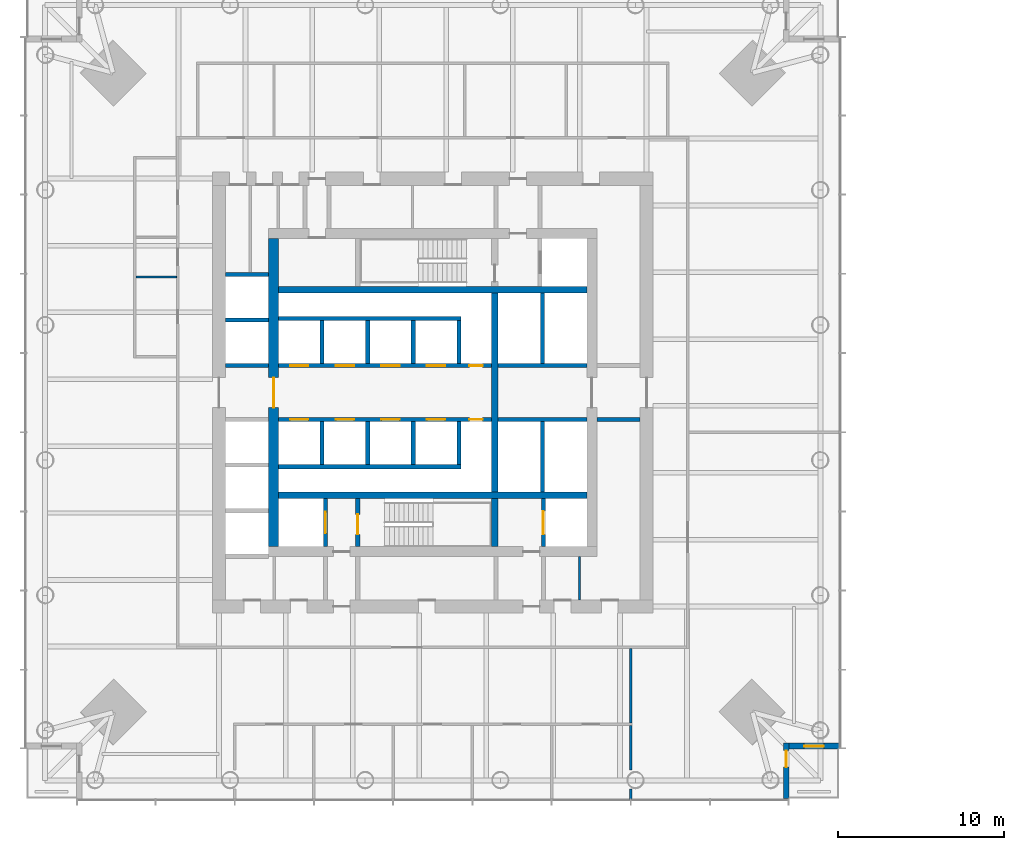
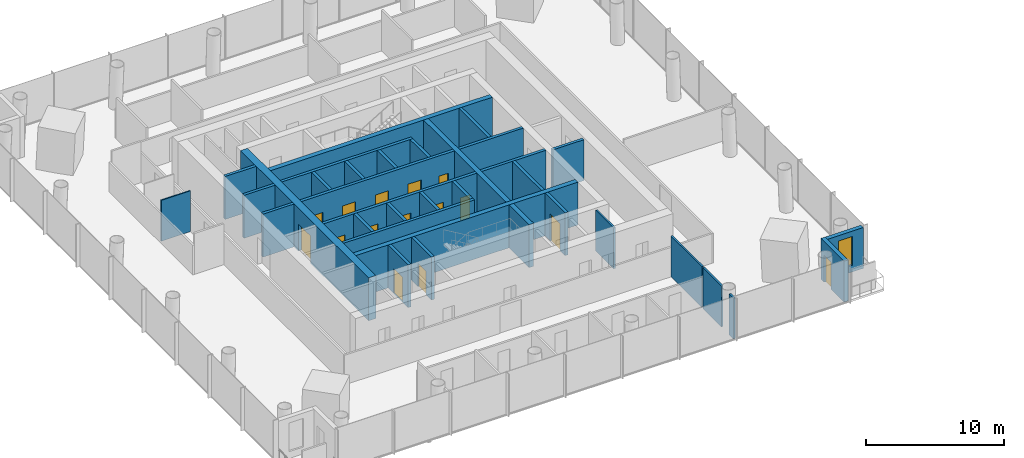
# One storey, part 11 of 22: 35 walls, 15 doors, 1 window, 16 openings.
"""IFC4 building model written with IfcOpenShell, lengths in metres."""

from ifc_helpers import new_model, si_unit, direction, frame, frame_2d, origin, place, context, subcontext, project, spatial, rectangle, extrude, material, layer, layer_set, type_object, element, fill, save


model = new_model("IFC4")

# Units and contexts
model_context = context("Model", 3, precision=1e-05, world=origin(), true_north=direction((0.0, 1.0)))
body_context = subcontext(model_context, "Body", "Model", "MODEL_VIEW")
ifc_project = project(units=[si_unit("LENGTHUNIT", "METRE"), si_unit("AREAUNIT", "SQUARE_METRE"), si_unit("VOLUMEUNIT", "CUBIC_METRE"), si_unit("PLANEANGLEUNIT", "RADIAN"), si_unit("MASSUNIT", "GRAM", prefix="KILO")], contexts=[model_context])

# Site, building, storey
site_placement = place(None, origin())
site = spatial("IfcSite", under=ifc_project, at=site_placement, CompositionType="ELEMENT")
building_placement = place(site_placement, origin())
building = spatial("IfcBuilding", under=site, at=building_placement, Name="Ostroluk Exchange", CompositionType="ELEMENT")
storey_placement = place(building_placement, frame((0.0, 0.0, 40.0)))
storey = spatial("IfcBuildingStorey", under=building, at=storey_placement, Name="L09", CompositionType="ELEMENT", Elevation=40.0)

# Walls
ifc_material_1 = material(Name="Concrete blockwork", Category="masonry")
ifc_layer_1 = layer(ifc_material_1, 0.10009765625)
ifc_layer_set_1 = layer_set([ifc_layer_1], Name="Blockwork WC wall 100")
wall_type_1 = type_object("IfcWallType", Name="Blockwork WC wall 100", PredefinedType="SOLIDWALL", material=ifc_layer_set_1)
wall_1_placement = place(storey_placement, frame((29.550048828125, 52.97509765625, 0.0), z_axis=(0.0, 0.0, 1.0), x_axis=(-1.0, 0.0, 0.0)))
element("IfcWall", 1, at=wall_1_placement, inside=storey, type_object=wall_type_1, Name="Blockwork WC wall", PredefinedType="SOLIDWALL", context=body_context, shape_type="SweptSolid", body=[
    extrude(rectangle(XDim=2.449951171875, YDim=0.10009765625, at=frame_2d((1.22509765625, 0.0))), origin(), (0.0, 0.0, 1.0), 3.6201171875),
])
ifc_material_2 = material(Name="Concrete blockwork", Category="masonry")
ifc_layer_2 = layer(ifc_material_2, 0.14990234375)
ifc_layer_set_2 = layer_set([ifc_layer_2], Name="Blockwork plant room wall 150")
wall_type_2 = type_object("IfcWallType", Name="Blockwork plant room wall 150", PredefinedType="SOLIDWALL", material=ifc_layer_set_2)
wall_2_placement = place(storey_placement, frame((53.85205078125, 33.5, 0.0), z_axis=(0.0, 0.0, 1.0), x_axis=(0.0, 1.0, 0.0)))
element("IfcWall", 2, at=wall_2_placement, inside=storey, type_object=wall_type_2, Name="Core room wall", PredefinedType="SOLIDWALL", context=body_context, shape_type="SweptSolid", body=[
    extrude(rectangle(XDim=2.60009765625, YDim=0.14990234375, at=frame_2d((1.300048828125, 0.0))), origin(), (0.0, 0.0, 1.0), 3.6201171875),
])
ifc_material_3 = material(Name="Concrete blockwork", Category="masonry")
ifc_layer_3 = layer(ifc_material_3, 0.25)
ifc_layer_set_3 = layer_set([ifc_layer_3], Name="Blockwork stair enclosure wall 250")
wall_type_3 = type_object("IfcWallType", Name="Blockwork stair enclosure wall 250", PredefinedType="SOLIDWALL", material=ifc_layer_set_3)
wall_3_placement = place(storey_placement, frame((54.89990234375, 44.375, 0.0), z_axis=(0.0, 0.0, 1.0), x_axis=(1.0, 0.0, 0.0)))
element("IfcWall", 3, at=wall_3_placement, inside=storey, type_object=wall_type_3, Name="Lift lobby enclosure wall", PredefinedType="SOLIDWALL", context=body_context, shape_type="SweptSolid", body=[
    extrude(rectangle(XDim=2.60009765625, YDim=0.25, at=frame_2d((1.300048828125, 0.0))), origin(), (0.0, 0.0, 1.0), 3.6201171875),
])
ifc_material_4 = material(Name="Concrete C50/60", Category="concrete")
ifc_layer_4 = layer(ifc_material_4, 0.39990234375)
ifc_layer_set_4 = layer_set([ifc_layer_4], Name="Core cross wall 400 C50/60")
wall_type_4 = type_object("IfcWallType", Name="Core cross wall 400 C50/60", PredefinedType="SHEAR", material=ifc_layer_set_4)
for number, where, z_axis, x_axis, name in (
    (4, (35.699951171875, 39.800048828125, 0.0), (0.0, 0.0, 1.0), (1.0, 0.0, 0.0), "T1 core wall XS"),
    (5, (35.699951171875, 52.199951171875, 0.0), (0.0, 0.0, 1.0), (1.0, 0.0, 0.0), "T1 core wall XN"),
):
    element("IfcWall", number, at=place(storey_placement, frame(where, z_axis=z_axis, x_axis=x_axis)), inside=storey, type_object=wall_type_4, Name=name, PredefinedType="SHEAR", context=body_context, shape_type="SweptSolid", body=[
        extrude(rectangle(XDim=18.60009765625, YDim=0.39990234375, at=frame_2d((9.300048828125, 0.0))), origin(), (0.0, 0.0, 1.0), 3.800048828125),
    ])
wall_4_placement = place(storey_placement, frame((48.72998046875, 36.699951171875, 0.0), z_axis=(0.0, 0.0, 1.0), x_axis=(0.0, 1.0, 0.0)))
element("IfcWall", 6, at=wall_4_placement, inside=storey, type_object=wall_type_4, Name="T1 core wall YE1", PredefinedType="SHEAR", context=body_context, shape_type="SweptSolid", body=[
    extrude(rectangle(XDim=2.900146484375, YDim=0.39990234375, at=frame_2d((1.4501953125, 0.0))), origin(), (0.0, 0.0, 1.0), 3.800048828125),
])
wall_5_placement = place(storey_placement, frame((48.72998046875, 40.0, 0.0), z_axis=(0.0, 0.0, 1.0), x_axis=(0.0, 1.0, 0.0)))
element("IfcWall", 7, at=wall_5_placement, inside=storey, type_object=wall_type_4, Name="T1 core wall YE2", PredefinedType="SHEAR", context=body_context, shape_type="SweptSolid", body=[
    extrude(rectangle(XDim=12.0, YDim=0.39990234375, at=frame_2d((6.0, 0.0))), origin(), (0.0, 0.0, 1.0), 3.800048828125),
])

# Wall, opening, door
ifc_material_5 = material(Name="Concrete C40/50", Category="concrete")
ifc_layer_5 = layer(ifc_material_5, 0.25)
ifc_layer_set_5 = layer_set([ifc_layer_5], Name="Core shaft wall 250")
wall_type_5 = type_object("IfcWallType", Name="Core shaft wall 250", PredefinedType="SHEAR", material=ifc_layer_set_5)
wall_6_placement = place(storey_placement, frame((38.52490234375, 36.699951171875, 0.0), z_axis=(0.0, 0.0, 1.0), x_axis=(0.0, 1.0, 0.0)))
wall_6 = element("IfcWall", 8, at=wall_6_placement, inside=storey, type_object=wall_type_5, Name="Firefighting lift shaft wall", PredefinedType="SHEAR", context=body_context, shape_type="SweptSolid", body=[
    extrude(rectangle(XDim=2.900146484375, YDim=0.25, at=frame_2d((1.4501953125, 0.0))), origin(), (0.0, 0.0, 1.0), 3.800048828125),
])
opening_1_placement = place(wall_6_placement, frame((0.800048828125, 0.0, 0.0)))
opening_1 = element("IfcOpeningElement", 9, at=opening_1_placement, cuts=wall_6, Name="Opening LD2", PredefinedType="OPENING", context=body_context, shape_type="SweptSolid", body=[
    extrude(rectangle(XDim=1.300048828125, YDim=2.199951171875, at=frame_2d((0.64990234375, 1.10009765625))), frame((0.0, 0.135009765625, 0.0), z_axis=(0.0, -1.0, 0.0), x_axis=(1.0, 0.0, 0.0)), (0.0, 0.0, 1.0), 0.27001953125),
])
ifc_material_6 = material(Name="Stainless steel", Category="steel")
door_type_1 = type_object("IfcDoorType", Name="Lift landing door E 60 1300 x 2200", OperationType="DOUBLE_DOOR_SLIDING", PredefinedType="DOOR", material=ifc_material_6)
door_1_placement = place(opening_1_placement, origin())
door_1 = element("IfcDoor", 10, at=door_1_placement, inside=storey, type_object=door_type_1, Name="Lift FL1 landing door", OperationType="DOUBLE_DOOR_SLIDING", OverallHeight=2.199951171875, OverallWidth=1.300048828125, PredefinedType="DOOR", context=body_context, shape_type="SweptSolid", body=[
    extrude(rectangle(XDim=1.300048828125, YDim=2.199951171875, at=frame_2d((0.64990234375, 1.10009765625))), frame((0.0, 0.02490234375, 0.0), z_axis=(0.0, -1.0, 0.0), x_axis=(1.0, 0.0, 0.0)), (0.0, 0.0, 1.0), 0.050048828125),
])
fill(opening_1, door_1)

wall_7_placement = place(storey_placement, frame((40.47509765625, 36.699951171875, 0.0), z_axis=(0.0, 0.0, 1.0), x_axis=(0.0, 1.0, 0.0)))
wall_7 = element("IfcWall", 11, at=wall_7_placement, inside=storey, type_object=wall_type_5, Name="Stair shaft wall", PredefinedType="SHEAR", context=body_context, shape_type="SweptSolid", body=[
    extrude(rectangle(XDim=2.900146484375, YDim=0.25, at=frame_2d((1.4501953125, 0.0))), origin(), (0.0, 0.0, 1.0), 3.800048828125),
])
opening_2_placement = place(wall_7_placement, frame((0.75, 0.0, 0.0)))
opening_2 = element("IfcOpeningElement", 12, at=opening_2_placement, cuts=wall_7, Name="Opening FD60S", PredefinedType="OPENING", context=body_context, shape_type="SweptSolid", body=[
    extrude(rectangle(XDim=1.199951171875, YDim=2.10009765625, at=frame_2d((0.60009765625, 1.050048828125))), frame((0.0, 0.135009765625, 0.0), z_axis=(0.0, -1.0, 0.0), x_axis=(1.0, 0.0, 0.0)), (0.0, 0.0, 1.0), 0.27001953125),
])
ifc_material_7 = material(Name="Steel", Category="steel")
door_type_2 = type_object("IfcDoorType", Name="Stair door EI 60 1200 x 2100", OperationType="SINGLE_SWING_LEFT", PredefinedType="DOOR", material=ifc_material_7)
door_2_placement = place(opening_2_placement, origin())
door_2 = element("IfcDoor", 13, at=door_2_placement, inside=storey, type_object=door_type_2, Name="Stair T1-S1 door", OperationType="SINGLE_SWING_LEFT", OverallHeight=2.10009765625, OverallWidth=1.199951171875, PredefinedType="DOOR", context=body_context, shape_type="SweptSolid", body=[
    extrude(rectangle(XDim=1.199951171875, YDim=2.10009765625, at=frame_2d((0.60009765625, 1.050048828125))), frame((0.0, 0.02490234375, 0.0), z_axis=(0.0, -1.0, 0.0), x_axis=(1.0, 0.0, 0.0)), (0.0, 0.0, 1.0), 0.050048828125),
])
fill(opening_2, door_2)

wall_8_placement = place(storey_placement, frame((51.675048828125, 36.699951171875, 0.0), z_axis=(0.0, 0.0, 1.0), x_axis=(0.0, 1.0, 0.0)))
wall_8 = element("IfcWall", 14, at=wall_8_placement, inside=storey, type_object=wall_type_5, Name="Service lift shaft wall", PredefinedType="SHEAR", context=body_context, shape_type="SweptSolid", body=[
    extrude(rectangle(XDim=2.900146484375, YDim=0.25, at=frame_2d((1.4501953125, 0.0))), origin(), (0.0, 0.0, 1.0), 3.800048828125),
])
opening_3_placement = place(wall_8_placement, frame((0.75, 0.0, 0.0)))
opening_3 = element("IfcOpeningElement", 15, at=opening_3_placement, cuts=wall_8, Name="Opening LD3", PredefinedType="OPENING", context=body_context, shape_type="SweptSolid", body=[
    extrude(rectangle(XDim=1.39990234375, YDim=2.39990234375, at=frame_2d((0.699951171875, 1.199951171875))), frame((0.0, 0.135009765625, 0.0), z_axis=(0.0, -1.0, 0.0), x_axis=(1.0, 0.0, 0.0)), (0.0, 0.0, 1.0), 0.27001953125),
])
ifc_material_8 = material(Name="Stainless steel", Category="steel")
door_type_3 = type_object("IfcDoorType", Name="Goods lift landing door E 60 1400 x 2400", OperationType="DOUBLE_DOOR_SLIDING", PredefinedType="DOOR", material=ifc_material_8)
door_3_placement = place(opening_3_placement, origin())
door_3 = element("IfcDoor", 16, at=door_3_placement, inside=storey, type_object=door_type_3, Name="Lift SL1 landing door", OperationType="DOUBLE_DOOR_SLIDING", OverallHeight=2.39990234375, OverallWidth=1.39990234375, PredefinedType="DOOR", context=body_context, shape_type="SweptSolid", body=[
    extrude(rectangle(XDim=1.39990234375, YDim=2.39990234375, at=frame_2d((0.699951171875, 1.199951171875))), frame((0.0, 0.02490234375, 0.0), z_axis=(0.0, -1.0, 0.0), x_axis=(1.0, 0.0, 0.0)), (0.0, 0.0, 1.0), 0.050048828125),
])
fill(opening_3, door_3)

# Walls
for number, where, z_axis, x_axis, name in (
    (17, (38.324951171875, 47.75, 0.0), (0.0, 0.0, 1.0), (0.0, 1.0, 0.0), "Lift shaft wall"),
    (18, (41.074951171875, 47.75, 0.0), (0.0, 0.0, 1.0), (0.0, 1.0, 0.0), "Lift shaft wall"),
    (19, (43.824951171875, 47.75, 0.0), (0.0, 0.0, 1.0), (0.0, 1.0, 0.0), "Lift shaft wall"),
    (20, (46.574951171875, 47.75, 0.0), (0.0, 0.0, 1.0), (0.0, 1.0, 0.0), "Lift shaft wall"),
):
    element("IfcWall", number, at=place(storey_placement, frame(where, z_axis=z_axis, x_axis=x_axis)), inside=storey, type_object=wall_type_5, Name=name, PredefinedType="SHEAR", context=body_context, shape_type="SweptSolid", body=[
        extrude(rectangle(XDim=2.60009765625, YDim=0.25, at=frame_2d((1.300048828125, 0.0))), origin(), (0.0, 0.0, 1.0), 3.800048828125),
    ])
wall_9_placement = place(storey_placement, frame((35.699951171875, 50.47509765625, 0.0), z_axis=(0.0, 0.0, 1.0), x_axis=(1.0, 0.0, 0.0)))
element("IfcWall", 21, at=wall_9_placement, inside=storey, type_object=wall_type_5, Name="Lift shaft wall", PredefinedType="SHEAR", context=body_context, shape_type="SweptSolid", body=[
    extrude(rectangle(XDim=11.0, YDim=0.25, at=frame_2d((5.5, 0.0))), origin(), (0.0, 0.0, 1.0), 3.800048828125),
])

# Wall, openings, doors
wall_10_placement = place(storey_placement, frame((35.699951171875, 47.625, 0.0), z_axis=(0.0, 0.0, 1.0), x_axis=(1.0, 0.0, 0.0)))
wall_10 = element("IfcWall", 22, at=wall_10_placement, inside=storey, type_object=wall_type_5, Name="Lift shaft front wall", PredefinedType="SHEAR", context=body_context, shape_type="SweptSolid", body=[
    extrude(rectangle(XDim=12.830078125, YDim=0.25, at=frame_2d((6.4150390625, 0.0))), origin(), (0.0, 0.0, 1.0), 3.800048828125),
])
opening_4_placement = place(wall_10_placement, frame((0.699951171875, 0.0, 0.0)))
opening_4 = element("IfcOpeningElement", 23, at=opening_4_placement, cuts=wall_10, Name="Opening LD", PredefinedType="OPENING", context=body_context, shape_type="SweptSolid", body=[
    extrude(rectangle(XDim=1.10009765625, YDim=2.199951171875, at=frame_2d((0.550048828125, 1.10009765625))), frame((0.0, 0.135009765625, 0.0), z_axis=(0.0, -1.0, 0.0), x_axis=(1.0, 0.0, 0.0)), (0.0, 0.0, 1.0), 0.27001953125),
])
opening_5_placement = place(wall_10_placement, frame((3.449951171875, 0.0, 0.0)))
opening_5 = element("IfcOpeningElement", 24, at=opening_5_placement, cuts=wall_10, Name="Opening LD", PredefinedType="OPENING", context=body_context, shape_type="SweptSolid", body=[
    extrude(rectangle(XDim=1.10009765625, YDim=2.199951171875, at=frame_2d((0.550048828125, 1.10009765625))), frame((0.0, 0.135009765625, 0.0), z_axis=(0.0, -1.0, 0.0), x_axis=(1.0, 0.0, 0.0)), (0.0, 0.0, 1.0), 0.27001953125),
])
opening_6_placement = place(wall_10_placement, frame((6.199951171875, 0.0, 0.0)))
opening_6 = element("IfcOpeningElement", 25, at=opening_6_placement, cuts=wall_10, Name="Opening LD", PredefinedType="OPENING", context=body_context, shape_type="SweptSolid", body=[
    extrude(rectangle(XDim=1.10009765625, YDim=2.199951171875, at=frame_2d((0.550048828125, 1.10009765625))), frame((0.0, 0.135009765625, 0.0), z_axis=(0.0, -1.0, 0.0), x_axis=(1.0, 0.0, 0.0)), (0.0, 0.0, 1.0), 0.27001953125),
])
opening_7_placement = place(wall_10_placement, frame((8.949951171875, 0.0, 0.0)))
opening_7 = element("IfcOpeningElement", 26, at=opening_7_placement, cuts=wall_10, Name="Opening LD", PredefinedType="OPENING", context=body_context, shape_type="SweptSolid", body=[
    extrude(rectangle(XDim=1.10009765625, YDim=2.199951171875, at=frame_2d((0.550048828125, 1.10009765625))), frame((0.0, 0.135009765625, 0.0), z_axis=(0.0, -1.0, 0.0), x_axis=(1.0, 0.0, 0.0)), (0.0, 0.0, 1.0), 0.27001953125),
])
opening_8_placement = place(wall_10_placement, frame((11.514892578125, 0.0, 0.0)))
opening_8 = element("IfcOpeningElement", 27, at=opening_8_placement, cuts=wall_10, Name="Opening RD60", PredefinedType="OPENING", context=body_context, shape_type="SweptSolid", body=[
    extrude(rectangle(XDim=0.800048828125, YDim=2.0, at=frame_2d((0.39990234375, 1.0))), frame((0.0, 0.135009765625, 0.0), z_axis=(0.0, -1.0, 0.0), x_axis=(1.0, 0.0, 0.0)), (0.0, 0.0, 1.0), 0.27001953125),
])
ifc_material_9 = material(Name="Stainless steel", Category="steel")
door_type_4 = type_object("IfcDoorType", Name="Lift landing door E 60 1100 x 2200", OperationType="DOUBLE_DOOR_SLIDING", PredefinedType="DOOR", material=ifc_material_9)
door_4_placement = place(opening_4_placement, origin())
door_4 = element("IfcDoor", 28, at=door_4_placement, inside=storey, type_object=door_type_4, Name="Lift PL-L1 landing door", OperationType="DOUBLE_DOOR_SLIDING", OverallHeight=2.199951171875, OverallWidth=1.10009765625, PredefinedType="DOOR", context=body_context, shape_type="SweptSolid", body=[
    extrude(rectangle(XDim=1.10009765625, YDim=2.199951171875, at=frame_2d((0.550048828125, 1.10009765625))), frame((0.0, 0.02490234375, 0.0), z_axis=(0.0, -1.0, 0.0), x_axis=(1.0, 0.0, 0.0)), (0.0, 0.0, 1.0), 0.050048828125),
])
fill(opening_4, door_4)
door_5_placement = place(opening_5_placement, origin())
door_5 = element("IfcDoor", 29, at=door_5_placement, inside=storey, type_object=door_type_4, Name="Lift PL-L2 landing door", OperationType="DOUBLE_DOOR_SLIDING", OverallHeight=2.199951171875, OverallWidth=1.10009765625, PredefinedType="DOOR", context=body_context, shape_type="SweptSolid", body=[
    extrude(rectangle(XDim=1.10009765625, YDim=2.199951171875, at=frame_2d((0.550048828125, 1.10009765625))), frame((0.0, 0.02490234375, 0.0), z_axis=(0.0, -1.0, 0.0), x_axis=(1.0, 0.0, 0.0)), (0.0, 0.0, 1.0), 0.050048828125),
])
fill(opening_5, door_5)
door_6_placement = place(opening_6_placement, origin())
door_6 = element("IfcDoor", 30, at=door_6_placement, inside=storey, type_object=door_type_4, Name="Lift PL-L3 landing door", OperationType="DOUBLE_DOOR_SLIDING", OverallHeight=2.199951171875, OverallWidth=1.10009765625, PredefinedType="DOOR", context=body_context, shape_type="SweptSolid", body=[
    extrude(rectangle(XDim=1.10009765625, YDim=2.199951171875, at=frame_2d((0.550048828125, 1.10009765625))), frame((0.0, 0.02490234375, 0.0), z_axis=(0.0, -1.0, 0.0), x_axis=(1.0, 0.0, 0.0)), (0.0, 0.0, 1.0), 0.050048828125),
])
fill(opening_6, door_6)
door_7_placement = place(opening_7_placement, origin())
door_7 = element("IfcDoor", 31, at=door_7_placement, inside=storey, type_object=door_type_4, Name="Lift PL-L4 landing door", OperationType="DOUBLE_DOOR_SLIDING", OverallHeight=2.199951171875, OverallWidth=1.10009765625, PredefinedType="DOOR", context=body_context, shape_type="SweptSolid", body=[
    extrude(rectangle(XDim=1.10009765625, YDim=2.199951171875, at=frame_2d((0.550048828125, 1.10009765625))), frame((0.0, 0.02490234375, 0.0), z_axis=(0.0, -1.0, 0.0), x_axis=(1.0, 0.0, 0.0)), (0.0, 0.0, 1.0), 0.050048828125),
])
fill(opening_7, door_7)
ifc_material_10 = material(Name="Steel", Category="steel")
door_type_5 = type_object("IfcDoorType", Name="Riser access door EI 60 800 x 2000", OperationType="SINGLE_SWING_LEFT", PredefinedType="DOOR", material=ifc_material_10)
door_8_placement = place(opening_8_placement, origin())
door_8 = element("IfcDoor", 32, at=door_8_placement, inside=storey, type_object=door_type_5, Name="Riser access door", OperationType="SINGLE_SWING_RIGHT", OverallHeight=2.0, OverallWidth=0.800048828125, PredefinedType="DOOR", context=body_context, shape_type="SweptSolid", body=[
    extrude(rectangle(XDim=0.800048828125, YDim=2.0, at=frame_2d((0.39990234375, 1.0))), frame((0.0, 0.02490234375, 0.0), z_axis=(0.0, -1.0, 0.0), x_axis=(1.0, 0.0, 0.0)), (0.0, 0.0, 1.0), 0.050048828125),
])
fill(opening_8, door_8)

# Walls
for number, where, z_axis, x_axis, name in (
    (33, (38.324951171875, 44.25, 0.0), (0.0, 0.0, 1.0), (0.0, -1.0, 0.0), "Lift shaft wall"),
    (34, (41.074951171875, 44.25, 0.0), (0.0, 0.0, 1.0), (0.0, -1.0, 0.0), "Lift shaft wall"),
    (35, (43.824951171875, 44.25, 0.0), (0.0, 0.0, 1.0), (0.0, -1.0, 0.0), "Lift shaft wall"),
    (36, (46.574951171875, 44.25, 0.0), (0.0, 0.0, 1.0), (0.0, -1.0, 0.0), "Lift shaft wall"),
):
    element("IfcWall", number, at=place(storey_placement, frame(where, z_axis=z_axis, x_axis=x_axis)), inside=storey, type_object=wall_type_5, Name=name, PredefinedType="SHEAR", context=body_context, shape_type="SweptSolid", body=[
        extrude(rectangle(XDim=2.60009765625, YDim=0.25, at=frame_2d((1.300048828125, 0.0))), origin(), (0.0, 0.0, 1.0), 3.800048828125),
    ])
wall_11_placement = place(storey_placement, frame((35.699951171875, 41.52490234375, 0.0), z_axis=(0.0, 0.0, 1.0), x_axis=(1.0, 0.0, 0.0)))
element("IfcWall", 37, at=wall_11_placement, inside=storey, type_object=wall_type_5, Name="Lift shaft wall", PredefinedType="SHEAR", context=body_context, shape_type="SweptSolid", body=[
    extrude(rectangle(XDim=11.0, YDim=0.25, at=frame_2d((5.5, 0.0))), origin(), (0.0, 0.0, 1.0), 3.800048828125),
])

# Wall, openings, doors
wall_12_placement = place(storey_placement, frame((35.699951171875, 44.375, 0.0), z_axis=(0.0, 0.0, 1.0), x_axis=(1.0, 0.0, 0.0)))
wall_12 = element("IfcWall", 38, at=wall_12_placement, inside=storey, type_object=wall_type_5, Name="Lift shaft front wall", PredefinedType="SHEAR", context=body_context, shape_type="SweptSolid", body=[
    extrude(rectangle(XDim=12.830078125, YDim=0.25, at=frame_2d((6.4150390625, 0.0))), origin(), (0.0, 0.0, 1.0), 3.800048828125),
])
opening_9_placement = place(wall_12_placement, frame((0.699951171875, 0.0, 0.0)))
opening_9 = element("IfcOpeningElement", 39, at=opening_9_placement, cuts=wall_12, Name="Opening LD", PredefinedType="OPENING", context=body_context, shape_type="SweptSolid", body=[
    extrude(rectangle(XDim=1.10009765625, YDim=2.199951171875, at=frame_2d((0.550048828125, 1.10009765625))), frame((0.0, 0.135009765625, 0.0), z_axis=(0.0, -1.0, 0.0), x_axis=(1.0, 0.0, 0.0)), (0.0, 0.0, 1.0), 0.27001953125),
])
opening_10_placement = place(wall_12_placement, frame((3.449951171875, 0.0, 0.0)))
opening_10 = element("IfcOpeningElement", 40, at=opening_10_placement, cuts=wall_12, Name="Opening LD", PredefinedType="OPENING", context=body_context, shape_type="SweptSolid", body=[
    extrude(rectangle(XDim=1.10009765625, YDim=2.199951171875, at=frame_2d((0.550048828125, 1.10009765625))), frame((0.0, 0.135009765625, 0.0), z_axis=(0.0, -1.0, 0.0), x_axis=(1.0, 0.0, 0.0)), (0.0, 0.0, 1.0), 0.27001953125),
])
opening_11_placement = place(wall_12_placement, frame((6.199951171875, 0.0, 0.0)))
opening_11 = element("IfcOpeningElement", 41, at=opening_11_placement, cuts=wall_12, Name="Opening LD", PredefinedType="OPENING", context=body_context, shape_type="SweptSolid", body=[
    extrude(rectangle(XDim=1.10009765625, YDim=2.199951171875, at=frame_2d((0.550048828125, 1.10009765625))), frame((0.0, 0.135009765625, 0.0), z_axis=(0.0, -1.0, 0.0), x_axis=(1.0, 0.0, 0.0)), (0.0, 0.0, 1.0), 0.27001953125),
])
opening_12_placement = place(wall_12_placement, frame((8.949951171875, 0.0, 0.0)))
opening_12 = element("IfcOpeningElement", 42, at=opening_12_placement, cuts=wall_12, Name="Opening LD", PredefinedType="OPENING", context=body_context, shape_type="SweptSolid", body=[
    extrude(rectangle(XDim=1.10009765625, YDim=2.199951171875, at=frame_2d((0.550048828125, 1.10009765625))), frame((0.0, 0.135009765625, 0.0), z_axis=(0.0, -1.0, 0.0), x_axis=(1.0, 0.0, 0.0)), (0.0, 0.0, 1.0), 0.27001953125),
])
opening_13_placement = place(wall_12_placement, frame((11.514892578125, 0.0, 0.0)))
opening_13 = element("IfcOpeningElement", 43, at=opening_13_placement, cuts=wall_12, Name="Opening RD60", PredefinedType="OPENING", context=body_context, shape_type="SweptSolid", body=[
    extrude(rectangle(XDim=0.800048828125, YDim=2.0, at=frame_2d((0.39990234375, 1.0))), frame((0.0, 0.135009765625, 0.0), z_axis=(0.0, -1.0, 0.0), x_axis=(1.0, 0.0, 0.0)), (0.0, 0.0, 1.0), 0.27001953125),
])
door_9_placement = place(opening_9_placement, origin())
door_9 = element("IfcDoor", 44, at=door_9_placement, inside=storey, type_object=door_type_4, Name="Lift PL-L5 landing door", OperationType="DOUBLE_DOOR_SLIDING", OverallHeight=2.199951171875, OverallWidth=1.10009765625, PredefinedType="DOOR", context=body_context, shape_type="SweptSolid", body=[
    extrude(rectangle(XDim=1.10009765625, YDim=2.199951171875, at=frame_2d((0.550048828125, 1.10009765625))), frame((0.0, 0.02490234375, 0.0), z_axis=(0.0, -1.0, 0.0), x_axis=(1.0, 0.0, 0.0)), (0.0, 0.0, 1.0), 0.050048828125),
])
fill(opening_9, door_9)
door_10_placement = place(opening_10_placement, origin())
door_10 = element("IfcDoor", 45, at=door_10_placement, inside=storey, type_object=door_type_4, Name="Lift PL-L6 landing door", OperationType="DOUBLE_DOOR_SLIDING", OverallHeight=2.199951171875, OverallWidth=1.10009765625, PredefinedType="DOOR", context=body_context, shape_type="SweptSolid", body=[
    extrude(rectangle(XDim=1.10009765625, YDim=2.199951171875, at=frame_2d((0.550048828125, 1.10009765625))), frame((0.0, 0.02490234375, 0.0), z_axis=(0.0, -1.0, 0.0), x_axis=(1.0, 0.0, 0.0)), (0.0, 0.0, 1.0), 0.050048828125),
])
fill(opening_10, door_10)
door_11_placement = place(opening_11_placement, origin())
door_11 = element("IfcDoor", 46, at=door_11_placement, inside=storey, type_object=door_type_4, Name="Lift PL-L7 landing door", OperationType="DOUBLE_DOOR_SLIDING", OverallHeight=2.199951171875, OverallWidth=1.10009765625, PredefinedType="DOOR", context=body_context, shape_type="SweptSolid", body=[
    extrude(rectangle(XDim=1.10009765625, YDim=2.199951171875, at=frame_2d((0.550048828125, 1.10009765625))), frame((0.0, 0.02490234375, 0.0), z_axis=(0.0, -1.0, 0.0), x_axis=(1.0, 0.0, 0.0)), (0.0, 0.0, 1.0), 0.050048828125),
])
fill(opening_11, door_11)
door_12_placement = place(opening_12_placement, origin())
door_12 = element("IfcDoor", 47, at=door_12_placement, inside=storey, type_object=door_type_4, Name="Lift PL-L8 landing door", OperationType="DOUBLE_DOOR_SLIDING", OverallHeight=2.199951171875, OverallWidth=1.10009765625, PredefinedType="DOOR", context=body_context, shape_type="SweptSolid", body=[
    extrude(rectangle(XDim=1.10009765625, YDim=2.199951171875, at=frame_2d((0.550048828125, 1.10009765625))), frame((0.0, 0.02490234375, 0.0), z_axis=(0.0, -1.0, 0.0), x_axis=(1.0, 0.0, 0.0)), (0.0, 0.0, 1.0), 0.050048828125),
])
fill(opening_12, door_12)
door_13_placement = place(opening_13_placement, origin())
door_13 = element("IfcDoor", 48, at=door_13_placement, inside=storey, type_object=door_type_5, Name="Riser access door", OperationType="SINGLE_SWING_RIGHT", OverallHeight=2.0, OverallWidth=0.800048828125, PredefinedType="DOOR", context=body_context, shape_type="SweptSolid", body=[
    extrude(rectangle(XDim=0.800048828125, YDim=2.0, at=frame_2d((0.39990234375, 1.0))), frame((0.0, 0.02490234375, 0.0), z_axis=(0.0, -1.0, 0.0), x_axis=(1.0, 0.0, 0.0)), (0.0, 0.0, 1.0), 0.050048828125),
])
fill(opening_13, door_13)

# Walls
wall_13_placement = place(storey_placement, frame((51.614990234375, 47.75, 0.0), z_axis=(0.0, 0.0, 1.0), x_axis=(0.0, 1.0, 0.0)))
element("IfcWall", 49, at=wall_13_placement, inside=storey, type_object=wall_type_5, Name="Lift shaft wall", PredefinedType="SHEAR", context=body_context, shape_type="SweptSolid", body=[
    extrude(rectangle(XDim=4.25, YDim=0.25, at=frame_2d((2.125, 0.0))), origin(), (0.0, 0.0, 1.0), 3.800048828125),
])
wall_14_placement = place(storey_placement, frame((48.929931640625, 47.625, 0.0), z_axis=(0.0, 0.0, 1.0), x_axis=(1.0, 0.0, 0.0)))
element("IfcWall", 50, at=wall_14_placement, inside=storey, type_object=wall_type_5, Name="Lift shaft front wall", PredefinedType="SHEAR", context=body_context, shape_type="SweptSolid", body=[
    extrude(rectangle(XDim=5.3701171875, YDim=0.25, at=frame_2d((2.68505859375, 0.0))), origin(), (0.0, 0.0, 1.0), 3.800048828125),
])
wall_15_placement = place(storey_placement, frame((51.614990234375, 44.25, 0.0), z_axis=(0.0, 0.0, 1.0), x_axis=(0.0, -1.0, 0.0)))
element("IfcWall", 51, at=wall_15_placement, inside=storey, type_object=wall_type_5, Name="Lift shaft wall", PredefinedType="SHEAR", context=body_context, shape_type="SweptSolid", body=[
    extrude(rectangle(XDim=4.25, YDim=0.25, at=frame_2d((2.125, 0.0))), origin(), (0.0, 0.0, 1.0), 3.800048828125),
])
wall_16_placement = place(storey_placement, frame((48.929931640625, 44.375, 0.0), z_axis=(0.0, 0.0, 1.0), x_axis=(1.0, 0.0, 0.0)))
element("IfcWall", 52, at=wall_16_placement, inside=storey, type_object=wall_type_5, Name="Lift shaft front wall", PredefinedType="SHEAR", context=body_context, shape_type="SweptSolid", body=[
    extrude(rectangle(XDim=5.3701171875, YDim=0.25, at=frame_2d((2.68505859375, 0.0))), origin(), (0.0, 0.0, 1.0), 3.800048828125),
])
for number, where, z_axis, x_axis, name in (
    (53, (32.5, 47.625, 0.0), (0.0, 0.0, 1.0), (1.0, 0.0, 0.0), "Lift shaft wall"),
    (54, (32.5, 50.375, 0.0), (0.0, 0.0, 1.0), (1.0, 0.0, 0.0), "Lift shaft wall"),
    (55, (32.5, 53.125, 0.0), (0.0, 0.0, 1.0), (1.0, 0.0, 0.0), "Lift shaft wall"),
):
    element("IfcWall", number, at=place(storey_placement, frame(where, z_axis=z_axis, x_axis=x_axis)), inside=storey, type_object=wall_type_5, Name=name, PredefinedType="SHEAR", context=body_context, shape_type="SweptSolid", body=[
        extrude(rectangle(XDim=2.60009765625, YDim=0.25, at=frame_2d((1.300048828125, 0.0))), origin(), (0.0, 0.0, 1.0), 3.800048828125),
    ])

# Wall, opening, door
ifc_material_11 = material(Name="Concrete C50/60", Category="concrete")
ifc_layer_6 = layer(ifc_material_11, 0.60009765625)
ifc_layer_set_6 = layer_set([ifc_layer_6], Name="Core wall 600 C50/60")
wall_type_6 = type_object("IfcWallType", Name="Core wall 600 C50/60", PredefinedType="SHEAR", material=ifc_layer_set_6)
wall_17_placement = place(storey_placement, frame((35.39990234375, 36.699951171875, 0.0), z_axis=(0.0, 0.0, 1.0), x_axis=(0.0, 1.0, 0.0)))
wall_17 = element("IfcWall", 56, at=wall_17_placement, inside=storey, type_object=wall_type_6, Name="T1 core wall W", PredefinedType="SHEAR", context=body_context, shape_type="SweptSolid", body=[
    extrude(rectangle(XDim=18.60009765625, YDim=0.60009765625, at=frame_2d((9.300048828125, 0.0))), origin(), (0.0, 0.0, 1.0), 3.800048828125),
])
opening_14_placement = place(wall_17_placement, frame((8.39990234375, 0.0, 0.0)))
opening_14 = element("IfcOpeningElement", 57, at=opening_14_placement, cuts=wall_17, Name="Opening FD30D", PredefinedType="OPENING", context=body_context, shape_type="SweptSolid", body=[
    extrude(rectangle(XDim=1.800048828125, YDim=2.39990234375, at=frame_2d((0.89990234375, 1.199951171875))), frame((0.0, 0.31005859375, 0.0), z_axis=(0.0, -1.0, 0.0), x_axis=(1.0, 0.0, 0.0)), (0.0, 0.0, 1.0), 0.6201171875),
])
ifc_material_12 = material(Name="Timber", Category="wood")
door_type_6 = type_object("IfcDoorType", Name="Lobby double door EI 30 1800 x 2400", OperationType="DOUBLE_DOOR_SINGLE_SWING", PredefinedType="DOOR", material=ifc_material_12)
door_14_placement = place(opening_14_placement, origin())
door_14 = element("IfcDoor", 58, at=door_14_placement, inside=storey, type_object=door_type_6, Name="Lift lobby doors", OperationType="DOUBLE_DOOR_SINGLE_SWING", OverallHeight=2.39990234375, OverallWidth=1.800048828125, PredefinedType="DOOR", context=body_context, shape_type="SweptSolid", body=[
    extrude(rectangle(XDim=1.800048828125, YDim=2.39990234375, at=frame_2d((0.89990234375, 1.199951171875))), frame((0.0, 0.02490234375, 0.0), z_axis=(0.0, -1.0, 0.0), x_axis=(1.0, 0.0, 0.0)), (0.0, 0.0, 1.0), 0.050048828125),
])
fill(opening_14, door_14)

ifc_material_13 = material(Name="Limestone", Category="masonry")
ifc_layer_7 = layer(ifc_material_13, 0.35009765625)
ifc_layer_set_7 = layer_set([ifc_layer_7], Name="Limestone facade wall 350")
wall_type_7 = type_object("IfcWallType", Name="Limestone facade wall 350", PredefinedType="SOLIDWALL", material=ifc_layer_set_7)
wall_18_placement = place(storey_placement, frame((66.324951171875, 21.5, 0.0), z_axis=(0.0, 0.0, 1.0), x_axis=(0.0, 1.0, 0.0)))
wall_18 = element("IfcWall", 59, at=wall_18_placement, inside=storey, type_object=wall_type_7, Name="Office tower SE corner wall L09 a", PredefinedType="SOLIDWALL", context=body_context, shape_type="SweptSolid", body=[
    extrude(rectangle(XDim=3.35009765625, YDim=0.35009765625, at=frame_2d((1.675048828125, 0.0))), origin(), (0.0, 0.0, 1.0), 3.6201171875),
])
opening_15_placement = place(wall_18_placement, frame((1.89990234375, 0.0, 0.0)))
opening_15 = element("IfcOpeningElement", 60, at=opening_15_placement, cuts=wall_18, Name="Opening D-B1", PredefinedType="OPENING", context=body_context, shape_type="SweptSolid", body=[
    extrude(rectangle(XDim=1.0, YDim=2.39990234375, at=frame_2d((0.5, 1.199951171875))), frame((0.0, 0.18505859375, 0.0), z_axis=(0.0, -1.0, 0.0), x_axis=(1.0, 0.0, 0.0)), (0.0, 0.0, 1.0), 0.3701171875),
])
ifc_material_14 = material(Name="Bronze framed glazed door", Category="aluminium")
door_type_7 = type_object("IfcDoorType", Name="Balcony door 1000 x 2400", OperationType="SINGLE_SWING_LEFT", PredefinedType="DOOR", material=ifc_material_14)
door_15_placement = place(opening_15_placement, origin())
door_15 = element("IfcDoor", 61, at=door_15_placement, inside=storey, type_object=door_type_7, Name="Office tower SE balcony door L09", OperationType="SINGLE_SWING_RIGHT", OverallHeight=2.39990234375, OverallWidth=1.0, PredefinedType="DOOR", context=body_context, shape_type="SweptSolid", body=[
    extrude(rectangle(XDim=1.0, YDim=2.39990234375, at=frame_2d((0.5, 1.199951171875))), frame((0.0, 0.02490234375, 0.0), z_axis=(0.0, -1.0, 0.0), x_axis=(1.0, 0.0, 0.0)), (0.0, 0.0, 1.0), 0.050048828125),
])
fill(opening_15, door_15)

# Wall, opening, window
wall_19_placement = place(storey_placement, frame((66.5, 24.675048828125, 0.0), z_axis=(0.0, 0.0, 1.0), x_axis=(1.0, 0.0, 0.0)))
wall_19 = element("IfcWall", 62, at=wall_19_placement, inside=storey, type_object=wall_type_7, Name="Office tower SE corner wall L09 b", PredefinedType="SOLIDWALL", context=body_context, shape_type="SweptSolid", body=[
    extrude(rectangle(XDim=3.0, YDim=0.35009765625, at=frame_2d((1.5, 0.0))), origin(), (0.0, 0.0, 1.0), 3.6201171875),
])
opening_16_placement = place(wall_19_placement, frame((0.89990234375, 0.0, 0.60009765625)))
opening_16 = element("IfcOpeningElement", 63, at=opening_16_placement, cuts=wall_19, Name="Opening WN-L1", PredefinedType="OPENING", context=body_context, shape_type="SweptSolid", body=[
    extrude(rectangle(XDim=1.199951171875, YDim=2.550048828125, at=frame_2d((0.60009765625, 1.27490234375))), frame((0.0, 0.18505859375, 0.0), z_axis=(0.0, -1.0, 0.0), x_axis=(1.0, 0.0, 0.0)), (0.0, 0.0, 1.0), 0.3701171875),
])
ifc_material_15 = material(Name="Laminated clear glass", Category="glass")
window_type = type_object("IfcWindowType", Name="Lancet window 1200 x 2550", PartitioningType="SINGLE_PANEL", PredefinedType="WINDOW", material=ifc_material_15)
window_placement = place(opening_16_placement, origin())
window = element("IfcWindow", 64, at=window_placement, inside=storey, type_object=window_type, Name="Office tower SE lancet window L09", OverallHeight=2.550048828125, OverallWidth=1.199951171875, PartitioningType="SINGLE_PANEL", PredefinedType="WINDOW", context=body_context, shape_type="SweptSolid", body=[
    extrude(rectangle(XDim=1.199951171875, YDim=2.550048828125, at=frame_2d((0.60009765625, 1.27490234375))), frame((0.0, 0.030029296875, 0.0), z_axis=(0.0, -1.0, 0.0), x_axis=(1.0, 0.0, 0.0)), (0.0, 0.0, 1.0), 0.06005859375),
])
fill(opening_16, window)

# Walls
ifc_material_16 = material(Name="Gypsum plasterboard partition", Category="gypsum")
ifc_layer_8 = layer(ifc_material_16, 0.14990234375)
ifc_layer_set_8 = layer_set([ifc_layer_8], Name="Plasterboard partition 150")
wall_type_8 = type_object("IfcWallType", Name="Plasterboard partition 150", PredefinedType="PARTITIONING", material=ifc_layer_set_8)
wall_20_placement = place(storey_placement, frame((56.9443359375, 25.925048828125, 0.0), z_axis=(0.0, 0.0, 1.0), x_axis=(0.0, -1.0, 0.0)))
element("IfcWall", 65, at=wall_20_placement, inside=storey, type_object=wall_type_8, Name="Partition", PredefinedType="PARTITIONING", context=body_context, shape_type="SweptSolid", body=[
    extrude(rectangle(XDim=2.6884765625, YDim=0.14990234375, at=frame_2d((1.34423828125, 0.0))), origin(), (0.0, 0.0, 1.0), 3.6201171875),
])
wall_21_placement = place(storey_placement, frame((56.9443359375, 22.09912109375, 0.0), z_axis=(0.0, 0.0, 1.0), x_axis=(0.0, -1.0, 0.0)))
element("IfcWall", 66, at=wall_21_placement, inside=storey, type_object=wall_type_8, Name="Partition", PredefinedType="PARTITIONING", context=body_context, shape_type="SweptSolid", body=[
    extrude(rectangle(XDim=0.63916015625, YDim=0.14990234375, at=frame_2d((0.319580078125, 0.0))), origin(), (0.0, 0.0, 1.0), 3.6201171875),
])
wall_22_placement = place(storey_placement, frame((56.9443359375, 30.550048828125, 0.0), z_axis=(0.0, 0.0, 1.0), x_axis=(0.0, -1.0, 0.0)))
element("IfcWall", 67, at=wall_22_placement, inside=storey, type_object=wall_type_8, Name="Tenancy partition", PredefinedType="PARTITIONING", context=body_context, shape_type="SweptSolid", body=[
    extrude(rectangle(XDim=4.47509765625, YDim=0.14990234375, at=frame_2d((2.237548828125, 0.0))), origin(), (0.0, 0.0, 1.0), 3.6201171875),
])

save(model, "model.ifc")
